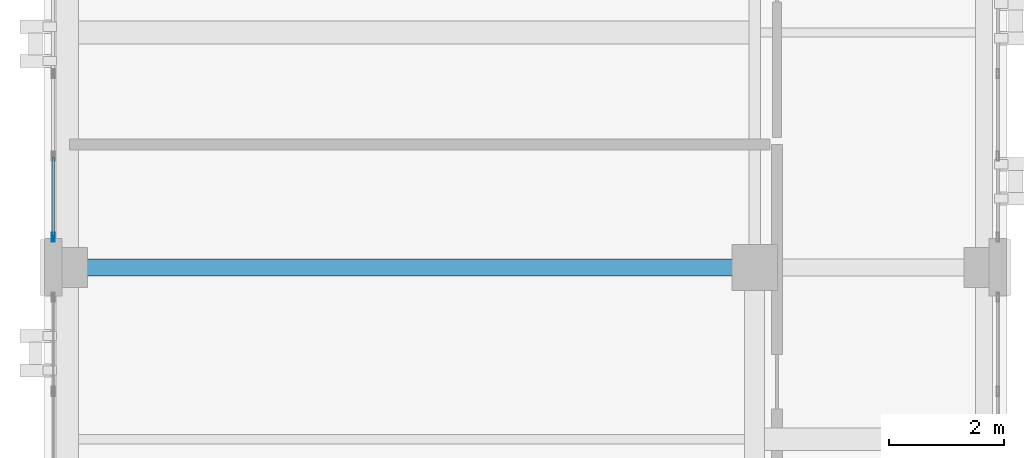
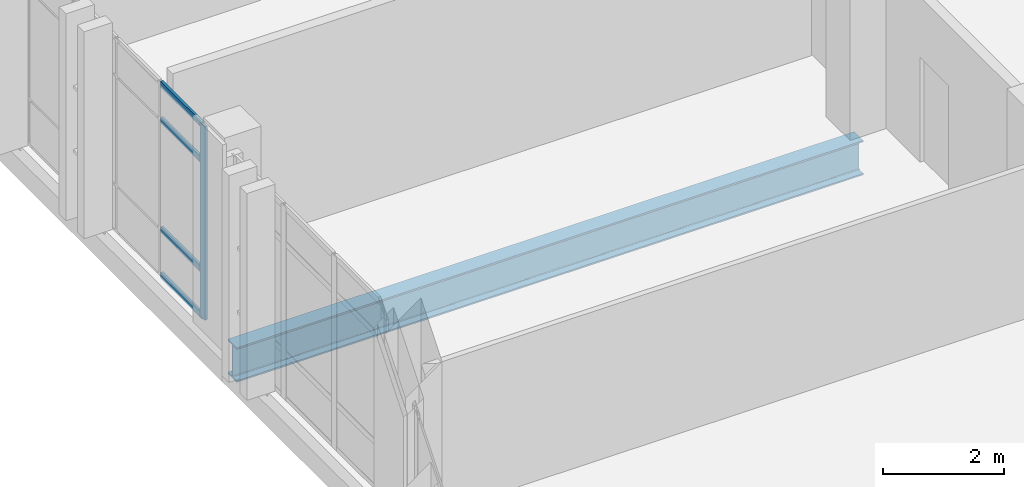
# One storey, part 73 of 193: 5 members, 1 beam, 1 element without a shape of its own.
"""IFC4 building model written with IfcOpenShell, lengths in metres."""

from ifc_helpers import new_model, si_unit, direction, frame, origin, origin_2d, place, context, subcontext, project, spatial, hollow_rectangle, i_section, extrude, material, layer, layer_set, material_profile, profile_set, type_object, element, aggregate, save


model = new_model("IFC4")

# Units and contexts
model_context = context("Model", 3, precision=1e-05, world=origin(), true_north=direction((0.0, 1.0)))
body_context = subcontext(model_context, "Body", "Model", "MODEL_VIEW")
ifc_project = project(units=[si_unit("LENGTHUNIT", "METRE"), si_unit("AREAUNIT", "SQUARE_METRE"), si_unit("VOLUMEUNIT", "CUBIC_METRE"), si_unit("PLANEANGLEUNIT", "RADIAN"), si_unit("MASSUNIT", "GRAM", prefix="KILO")], contexts=[model_context])

# Site, building, storey
site_placement = place(None, origin())
site = spatial("IfcSite", under=ifc_project, at=site_placement, CompositionType="ELEMENT")
building_placement = place(site_placement, origin())
building = spatial("IfcBuilding", under=site, at=building_placement, Name="Qalavern Law Courts", CompositionType="ELEMENT")
storey_placement = place(building_placement, frame((0.0, 0.0, 10.199951171875)))
storey = spatial("IfcBuildingStorey", under=building, at=storey_placement, Name="L02", CompositionType="ELEMENT", Elevation=10.199951171875)

# Curtain wall, members
ifc_material_1 = material(Name="Anodised aluminium and insulated glazing", Category="aluminium")
ifc_layer = layer(ifc_material_1, 0.172119140625)
ifc_layer_set = layer_set([ifc_layer], Name="Anodised aluminium and insulated glazing")
curtain_wall_type = type_object("IfcCurtainWallType", Name="ENV-CW-COURT", PredefinedType="USERDEFINED", material=ifc_layer_set)
curtain_wall_placement = place(storey_placement, origin())
curtain_wall = element("IfcCurtainWall", 1, at=curtain_wall_placement, inside=storey, type_object=curtain_wall_type, Name="V3 unitised curtain wall L02 west 2", ObjectType="UNITISED CURTAIN WALL", PredefinedType="USERDEFINED")
ifc_material_2 = material(Name="Anodised aluminium", Category="aluminium")
ifc_material_profile_1 = material_profile(ifc_material_2, hollow_rectangle(XDim=0.048095703125, YDim=0.159912109375, WallThickness=0.00390625, at=origin_2d()), Name="ALU MULLION 48x160")
ifc_profile_set_1 = profile_set([ifc_material_profile_1], Name="Anodised aluminium")
member_type_1 = type_object("IfcMemberType", Name="ENV-CWM-48x160", PredefinedType="MULLION", material=ifc_profile_set_1)
member_1_placement = place(storey_placement, frame((2.155029296875, 79.924072265625, 0.0), z_axis=(0.0, 0.0, 1.0), x_axis=(1.0, 0.0, 0.0)))
member_1 = element("IfcMember", 2, at=member_1_placement, type_object=member_type_1, Name="CW-03 mullion 6", PredefinedType="MULLION", context=body_context, shape_type="SweptSolid", body=[
    extrude(hollow_rectangle(XDim=0.048095703125, YDim=0.159912109375, WallThickness=0.00390625, at=origin_2d()), origin(), (0.0, 0.0, 1.0), 3.9150390625),
])
ifc_material_profile_2 = material_profile(ifc_material_2, hollow_rectangle(XDim=0.048095703125, YDim=0.1201171875, WallThickness=0.00390625, at=origin_2d()), Name="ALU TRANSOM 48x120")
ifc_profile_set_2 = profile_set([ifc_material_profile_2], Name="Anodised aluminium")
member_type_2 = type_object("IfcMemberType", Name="ENV-CWT-48x120", PredefinedType="USERDEFINED", material=ifc_profile_set_2)
member_2_placement = place(storey_placement, frame((2.155029296875, 81.31591796875, 0.024169921875), z_axis=(0.0, -1.0, 0.0), x_axis=(1.0, 0.0, 0.0)))
member_2 = element("IfcMember", 3, at=member_2_placement, type_object=member_type_2, Name="CW-03 transom 5.1", ObjectType="TRANSOM", PredefinedType="USERDEFINED", context=body_context, shape_type="SweptSolid", body=[
    extrude(hollow_rectangle(XDim=0.048095703125, YDim=0.1201171875, WallThickness=0.00390625, at=origin_2d()), origin(), (0.0, 0.0, 1.0), 1.367919921875),
])
member_3_placement = place(storey_placement, frame((2.155029296875, 81.31591796875, 0.949951171875), z_axis=(0.0, -1.0, 0.0), x_axis=(1.0, 0.0, 0.0)))
member_3 = element("IfcMember", 4, at=member_3_placement, type_object=member_type_2, Name="CW-03 transom 5.2", ObjectType="TRANSOM", PredefinedType="USERDEFINED", context=body_context, shape_type="SweptSolid", body=[
    extrude(hollow_rectangle(XDim=0.048095703125, YDim=0.1201171875, WallThickness=0.00390625, at=origin_2d()), origin(), (0.0, 0.0, 1.0), 1.367919921875),
])
member_4_placement = place(storey_placement, frame((2.155029296875, 81.31591796875, 3.1650390625), z_axis=(0.0, -1.0, 0.0), x_axis=(1.0, 0.0, 0.0)))
member_4 = element("IfcMember", 5, at=member_4_placement, type_object=member_type_2, Name="CW-03 transom 5.3", ObjectType="TRANSOM", PredefinedType="USERDEFINED", context=body_context, shape_type="SweptSolid", body=[
    extrude(hollow_rectangle(XDim=0.048095703125, YDim=0.1201171875, WallThickness=0.00390625, at=origin_2d()), origin(), (0.0, 0.0, 1.0), 1.367919921875),
])
member_5_placement = place(storey_placement, frame((2.155029296875, 81.31591796875, 3.89111328125), z_axis=(0.0, -1.0, 0.0), x_axis=(1.0, 0.0, 0.0)))
member_5 = element("IfcMember", 6, at=member_5_placement, type_object=member_type_2, Name="CW-03 transom 5.4", ObjectType="TRANSOM", PredefinedType="USERDEFINED", context=body_context, shape_type="SweptSolid", body=[
    extrude(hollow_rectangle(XDim=0.048095703125, YDim=0.1201171875, WallThickness=0.00390625, at=origin_2d()), origin(), (0.0, 0.0, 1.0), 1.367919921875),
])
aggregate(curtain_wall, [member_1, member_2, member_3, member_4, member_5])

# Beam
ifc_material_3 = material(Name="Steel S355", Category="steel")
ifc_material_profile_3 = material_profile(ifc_material_3, i_section(OverallWidth=0.300048828125, OverallDepth=0.699951171875, WebThickness=0.01708984375, FlangeThickness=0.031982421875, FilletRadius=0.027099609375, at=origin_2d()), Name="HEB 700")
ifc_profile_set_3 = profile_set([ifc_material_profile_3], Name="Steel S355")
beam_type = type_object("IfcBeamType", Name="STR-BM-HEB700", PredefinedType="BEAM", material=ifc_profile_set_3)
beam_placement = place(storey_placement, frame((2.39990234375, 79.39990234375, -0.639892578125), z_axis=(1.0, 0.0, 0.0), x_axis=(0.0, 1.0, 0.0)))
element("IfcBeam", 7, at=beam_placement, inside=storey, type_object=beam_type, Name="V3 X-beam 6-1 L02", PredefinedType="BEAM", context=body_context, shape_type="SweptSolid", body=[
    extrude(i_section(OverallWidth=0.300048828125, OverallDepth=0.699951171875, WebThickness=0.01708984375, FlangeThickness=0.031982421875, FilletRadius=0.027099609375, at=origin_2d()), origin(), (0.0, 0.0, 1.0), 12.0),
])

save(model, "model.ifc")
